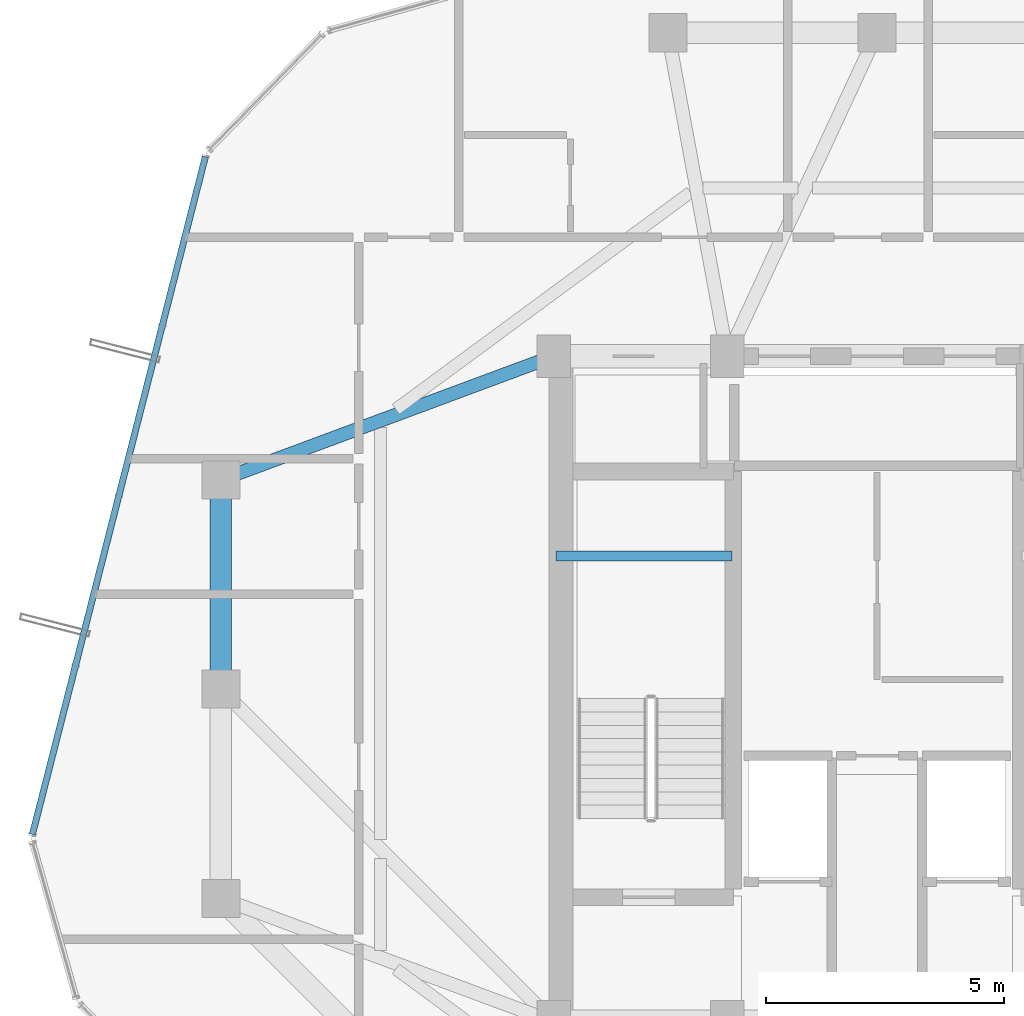
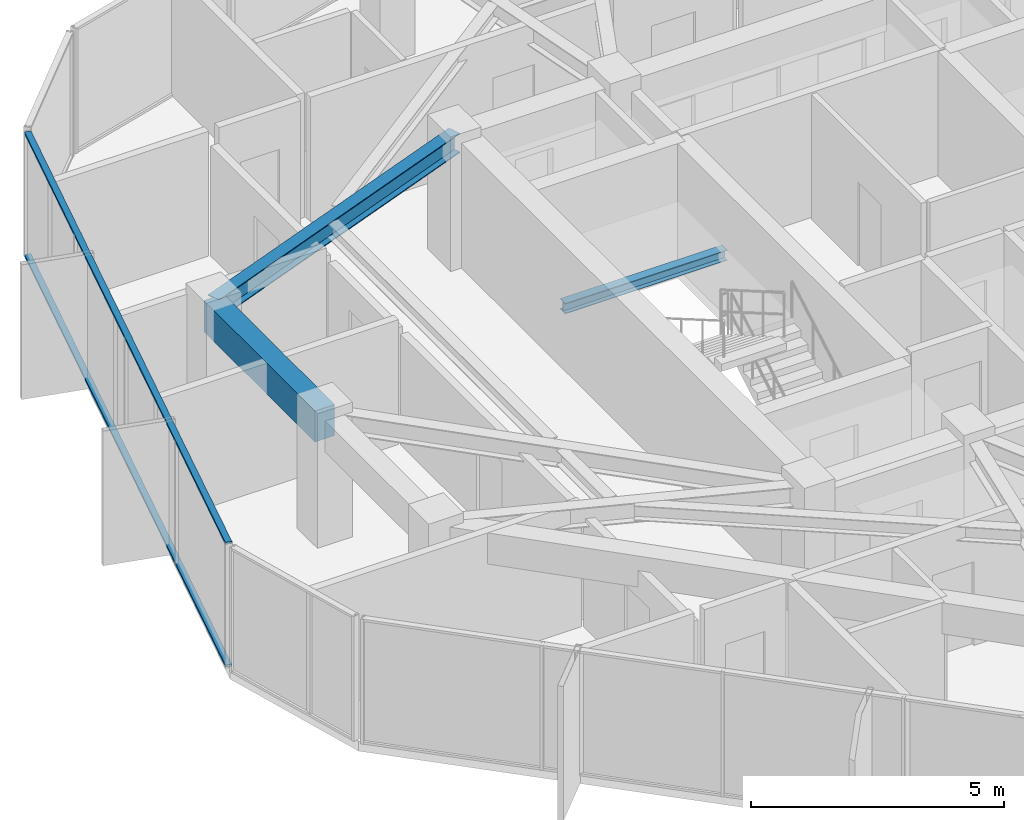
# One storey, part 13 of 29: 3 beams, 2 members, 1 element without a shape of its own.
"""IFC4 building model written with IfcOpenShell, lengths in metres."""

from ifc_helpers import new_model, si_unit, direction, frame, origin, origin_2d, place, context, subcontext, project, spatial, rectangle, hollow_rectangle, i_section, extrude, source, transform, mapped, material, layer, layer_set, material_profile, profile_set, type_object, element, aggregate, save


model = new_model("IFC4")

# Units and contexts
model_context = context("Model", 3, precision=1e-05, world=origin(), true_north=direction((0.0, 1.0)))
body_context = subcontext(model_context, "Body", "Model", "MODEL_VIEW")
ifc_project = project(units=[si_unit("LENGTHUNIT", "METRE"), si_unit("AREAUNIT", "SQUARE_METRE"), si_unit("VOLUMEUNIT", "CUBIC_METRE"), si_unit("PLANEANGLEUNIT", "RADIAN"), si_unit("MASSUNIT", "GRAM", prefix="KILO")], contexts=[model_context])

# Site, building, storey
site_placement = place(None, origin())
site = spatial("IfcSite", under=ifc_project, at=site_placement, CompositionType="ELEMENT")
building_placement = place(site_placement, origin())
building = spatial("IfcBuilding", under=site, at=building_placement, Name="Veraguas Prism Commons", CompositionType="ELEMENT")
storey_placement = place(building_placement, frame((0.0, 0.0, 257.75)))
storey = spatial("IfcBuildingStorey", under=building, at=storey_placement, Name="L73", CompositionType="ELEMENT", Elevation=257.75)

# Beams
ifc_material_1 = material(Name="Concrete C50/60", Category="concrete")
ifc_material_profile_1 = material_profile(ifc_material_1, rectangle(XDim=0.449951171875, YDim=0.75, at=origin_2d()), Name="RC450X750")
ifc_profile_set_1 = profile_set([ifc_material_profile_1], Name="Concrete C50/60")
beam_type_1 = type_object("IfcBeamType", Name="Perimeter Spandrel Upper RC 450x750", PredefinedType="SPANDREL", material=ifc_profile_set_1)
beam_1_placement = place(storey_placement, frame((10.199951171875, 28.39990234375, 2.639892578125), z_axis=(0.0, -1.0, 0.0), x_axis=(1.0, 0.0, 0.0)))
element("IfcBeam", 1, at=beam_1_placement, inside=storey, type_object=beam_type_1, Name="Perimeter Spandrel Beam L73-SP07", PredefinedType="SPANDREL", context=body_context, shape_type="SweptSolid", body=[
    extrude(rectangle(XDim=0.449951171875, YDim=0.75, at=origin_2d()), origin(), (0.0, 0.0, 1.0), 4.39990234375),
])
ifc_material_2 = material(Name="Steel ASTM A992 Grade 50", Category="steel")
ifc_material_profile_2 = material_profile(ifc_material_2, i_section(OverallWidth=0.202880859375, OverallDepth=0.251953125, WebThickness=0.008056640625, FlangeThickness=0.013427734375, at=origin_2d()), Name="W250X58")
ifc_profile_set_2 = profile_set([ifc_material_profile_2], Name="Steel ASTM A992 Grade 50")
beam_type_2 = type_object("IfcBeamType", Name="Structural Opening Lintel W250x58", PredefinedType="LINTEL", material=ifc_profile_set_2)
beam_2_placement = place(storey_placement, frame((17.25, 26.800048828125, 1.299072265625), z_axis=(1.0, 0.0, 0.0), x_axis=(0.0, 1.0, 0.0)))
element("IfcBeam", 2, at=beam_2_placement, inside=storey, type_object=beam_type_2, Name="Stair ST-01 Half-Landing Support Beam L73-1", PredefinedType="LINTEL", context=body_context, shape_type="SweptSolid", body=[
    extrude(i_section(OverallWidth=0.202880859375, OverallDepth=0.251953125, WebThickness=0.008056640625, FlangeThickness=0.013427734375, at=origin_2d()), origin(), (0.0, 0.0, 1.0), 3.699951171875),
])
ifc_material_profile_3 = material_profile(ifc_material_2, i_section(OverallWidth=0.282958984375, OverallDepth=0.471923828125, WebThickness=0.013671875, FlangeThickness=0.022216796875, at=origin_2d()), Name="W460X144")
ifc_profile_set_3 = profile_set([ifc_material_profile_3], Name="Steel ASTM A992 Grade 50")
beam_type_3 = type_object("IfcBeamType", Name="Zone 4 Radial Girder W460x144", PredefinedType="BEAM", material=ifc_profile_set_3)
beam_3_placement = place(storey_placement, frame((10.199951171875, 28.39990234375, 2.779052734375), z_axis=(0.937421003341, 0.348198021958, 0.0), x_axis=(-0.348198021958, 0.937421003341, 0.0)))
element("IfcBeam", 3, at=beam_3_placement, inside=storey, type_object=beam_type_3, Name="Radial Floor Girder L73-RD07", PredefinedType="BEAM", context=body_context, shape_type="SweptSolid", body=[
    extrude(i_section(OverallWidth=0.282958984375, OverallDepth=0.471923828125, WebThickness=0.013671875, FlangeThickness=0.022216796875, at=origin_2d()), origin(), (0.0, 0.0, 1.0), 7.46728515625),
])

# Curtain wall, members
ifc_material_3 = material(Name="Anodised aluminium EN AW-6063 T6", Category="aluminium")
ifc_layer = layer(ifc_material_3, 0.14990234375, Name="Unitised Flush Curtain Wall Zone 4", Category="aluminium")
ifc_layer_set = layer_set([ifc_layer], Name="Anodised aluminium EN AW-6063 T6")
curtain_wall_type = type_object("IfcCurtainWallType", Name="Unitised Flush Curtain Wall Zone 4", PredefinedType="NOTDEFINED", material=ifc_layer_set)
curtain_wall_placement = place(storey_placement, origin())
curtain_wall = element("IfcCurtainWall", 4, at=curtain_wall_placement, inside=storey, type_object=curtain_wall_type, Name="Tower Facade Curtain Wall L73-F3", PredefinedType="NOTDEFINED")
ifc_material_profile_4 = material_profile(ifc_material_3, hollow_rectangle(XDim=0.054931640625, YDim=0.135009765625, WallThickness=0.0029296875, at=origin_2d()), Name="AL55X135X3")
ifc_profile_set_4 = profile_set([ifc_material_profile_4], Name="Anodised aluminium EN AW-6063 T6")
member_type = type_object("IfcMemberType", Name="Curtain Wall Transom Standard AL 55x135x3", PredefinedType="USERDEFINED", material=ifc_profile_set_4)
shared_shape = source(origin(), body_context, "Body", "SweptSolid", [
    extrude(hollow_rectangle(XDim=0.054931640625, YDim=0.135009765625, WallThickness=0.0029296875, at=origin_2d()), origin(), (0.0, 0.0, 1.0), 14.70654296875),
])
member_1_placement = place(storey_placement, frame((9.87548828125, 35.194580078125, 0.027587890625), z_axis=(-0.24733715326, -0.968929477628, 0.0), x_axis=(0.0, 0.0, 1.0)))
member_1 = element("IfcMember", 5, at=member_1_placement, type_object=member_type, Name="CW-Z4 Transom 1", ObjectType="TRANSOM", PredefinedType="USERDEFINED", context=body_context, shape_type="MappedRepresentation", body=[
    mapped(shared_shape, transform((0.0, 0.0, 0.0), scale=1.0)),
])
member_2_placement = place(storey_placement, frame((9.87548828125, 35.194580078125, 2.987548828125), z_axis=(-0.24733715326, -0.968929477628, 0.0), x_axis=(0.0, 0.0, 1.0)))
member_2 = element("IfcMember", 6, at=member_2_placement, type_object=member_type, Name="CW-Z4 Transom 2", ObjectType="TRANSOM", PredefinedType="USERDEFINED", context=body_context, shape_type="MappedRepresentation", body=[
    mapped(shared_shape, transform((0.0, 0.0, 0.0), scale=1.0)),
])
aggregate(curtain_wall, [member_1, member_2])

save(model, "model.ifc")
